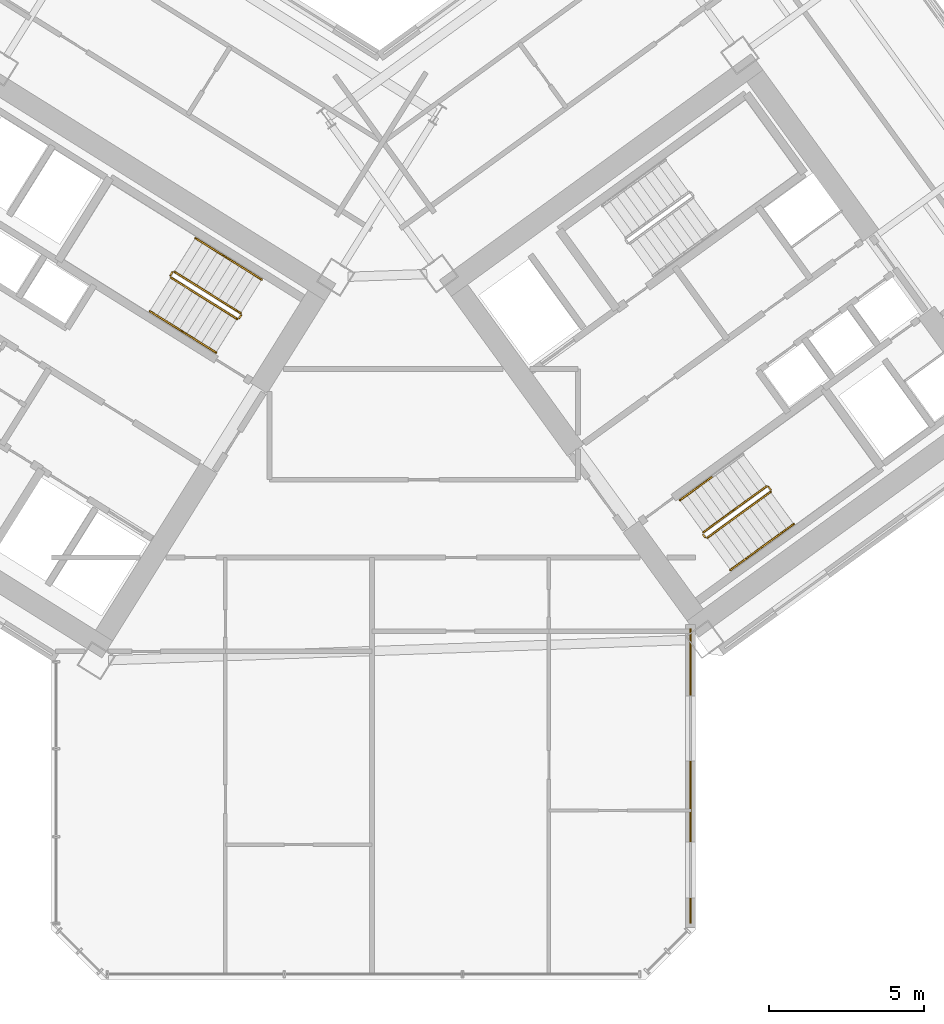
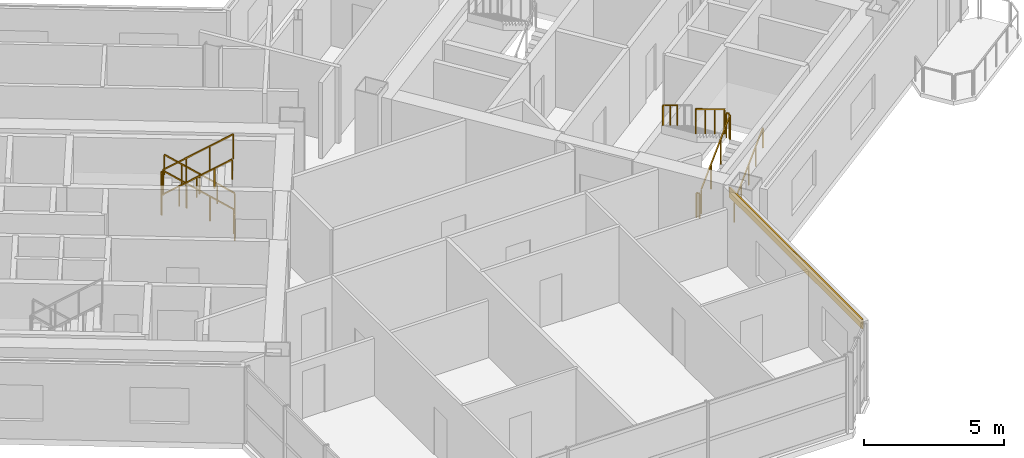
# One storey, part 20 of 22: 15 railings, 1 covering.
"""IFC4 building model written with IfcOpenShell, lengths in metres."""

import ifcopenshell
import ifcopenshell.guid

model = None  # the IFC model being written
_history = None  # IfcOwnerHistory: only IFC2X3 demands one
_inside = {}  # id of a spatial element -> (the spatial element, [elements in it])
_under = {}  # id of a project, library or spatial element -> (it, [spatial elements below it])
_declared = {}  # id of a project -> (the project, [libraries it declares])
_typed = {}  # id of a type object -> (the type object, [elements of that type])
_made_of = {}  # id of a material, layer set ... -> (it, [elements and type objects made of it])


def new_model(schema):
    """Start an empty IFC model of exactly this schema.

    Asked for "IFC4X3", IfcOpenShell would pick the latest addendum, in which some entities
    have other attributes; the version numbers below select the first issue.
    IFC2X3 requires an IfcOwnerHistory on every rooted entity: one is made here for all.
    """
    global model, _history
    if schema == "IFC4X3":
        model = ifcopenshell.file(schema_version=(4, 3, 0, 0))
    else:
        model = ifcopenshell.file(schema=schema)
    _inside.clear()
    _under.clear()
    _declared.clear()
    _typed.clear()
    _made_of.clear()
    _history = None
    if model.schema == "IFC2X3":
        org = make("IfcOrganization", Name="unknown")
        user = make(
            "IfcPersonAndOrganization",
            ThePerson=make("IfcPerson", FamilyName="unknown"),
            TheOrganization=org,
        )
        app = make(
            "IfcApplication",
            ApplicationDeveloper=org,
            Version="unknown",
            ApplicationFullName="unknown",
            ApplicationIdentifier="unknown",
        )
        _history = make(
            "IfcOwnerHistory",
            OwningUser=user,
            OwningApplication=app,
            ChangeAction="ADDED",
            CreationDate=0,
        )
    return model


def make(cls, **values):
    """One entity of the class cls with the attributes given. An attribute that is None is left unset."""
    return model.create_entity(
        cls, **{name: value for name, value in values.items() if value is not None}
    )


def rooted(cls, **values):
    """An entity with a GlobalId (a new one), such as an element, a storey or a relation."""
    return make(cls, GlobalId=ifcopenshell.guid.new(), OwnerHistory=_history, **values)


def si_unit(unit_type, name, prefix=None):
    """IfcSIUnit, for example si_unit("LENGTHUNIT", "METRE", prefix="MILLI")."""
    return make("IfcSIUnit", UnitType=unit_type, Prefix=prefix, Name=name)


def assignment(units):
    """IfcUnitAssignment: the units of a project."""
    return None if units is None else make("IfcUnitAssignment", Units=units)


def point(xyz):
    """IfcCartesianPoint."""
    return None if xyz is None else make("IfcCartesianPoint", Coordinates=xyz)


def direction(xyz):
    """IfcDirection."""
    return None if xyz is None else make("IfcDirection", DirectionRatios=xyz)


def frame(location, z_axis=None, x_axis=None):
    """IfcAxis2Placement3D, a coordinate frame: its origin and axes. An axis left out is left unset."""
    return make(
        "IfcAxis2Placement3D",
        Location=point(location),
        Axis=direction(z_axis),
        RefDirection=direction(x_axis),
    )


def frame_2d(location, x_axis=None):
    """IfcAxis2Placement2D, a coordinate frame in the plane: its origin and x axis."""
    return make(
        "IfcAxis2Placement2D", Location=point(location), RefDirection=direction(x_axis)
    )


def origin():
    """The frame at (0, 0, 0) with its axes left unset."""
    return frame((0.0, 0.0, 0.0))


def origin_2d():
    """The frame at (0, 0) in the plane with its x axis left unset."""
    return frame_2d((0.0, 0.0))


def place(relative_to, where):
    """IfcLocalPlacement: puts the frame where relative to a parent placement (None: the world)."""
    return make(
        "IfcLocalPlacement", PlacementRelTo=relative_to, RelativePlacement=where
    )


def context(
    kind, dimensions, precision=None, world=None, true_north=None, identifier=None
):
    """IfcGeometricRepresentationContext, for example the 3D "Model" context."""
    return make(
        "IfcGeometricRepresentationContext",
        ContextIdentifier=identifier,
        ContextType=kind,
        CoordinateSpaceDimension=dimensions,
        Precision=precision,
        WorldCoordinateSystem=world,
        TrueNorth=true_north,
    )


def subcontext(parent, identifier, kind, view, scale=None):
    """IfcGeometricRepresentationSubContext, for example "Body" below "Model"."""
    return make(
        "IfcGeometricRepresentationSubContext",
        ContextIdentifier=identifier,
        ContextType=kind,
        ParentContext=parent,
        TargetScale=scale,
        TargetView=view,
    )


def project(units=None, contexts=None):
    """IfcProject with its units and contexts."""
    return rooted(
        "IfcProject",
        Name="project",
        RepresentationContexts=contexts,
        UnitsInContext=assignment(units),
    )


def spatial(cls, under=None, at=None, **own):
    """A site, building, storey or space (cls), placed at a placement, below another one or the project."""
    s = rooted(cls, ObjectPlacement=at, **own)
    if under is not None:
        _under.setdefault(under.id(), (under, []))[1].append(s)
    return s


def profile(cls, at=None, kind="AREA", **sizes):
    """A parametric profile (cls). Its sizes go by their IFC names, for example OverallWidth=200.0."""
    return make(cls, ProfileType=kind, Position=at, **sizes)


def rectangle(**sizes):
    """IfcRectangleProfileDef."""
    return profile("IfcRectangleProfileDef", **sizes)


def extrude(swept, where, along, depth):
    """IfcExtrudedAreaSolid: the profile swept, set in the frame where, extruded along a direction by depth."""
    return make(
        "IfcExtrudedAreaSolid",
        SweptArea=swept,
        Position=where,
        ExtrudedDirection=direction(along),
        Depth=depth,
    )


def shape(context_of_items, identifier, shape_type, items):
    """IfcShapeRepresentation: the items that make up one representation, for example the "Body"."""
    return make(
        "IfcShapeRepresentation",
        ContextOfItems=context_of_items,
        RepresentationIdentifier=identifier,
        RepresentationType=shape_type,
        Items=items,
    )


def source(mapping_origin, context_of_items, identifier, shape_type, items):
    """IfcRepresentationMap: a shape defined once, which mapped items show again and again."""
    return make(
        "IfcRepresentationMap",
        MappingOrigin=mapping_origin,
        MappedRepresentation=shape(context_of_items, identifier, shape_type, items),
    )


def transform(
    local_origin,
    x_axis=None,
    y_axis=None,
    z_axis=None,
    scale=None,
    scale2=None,
    scale3=None,
    uniform=True,
):
    """IfcCartesianTransformationOperator3D, or its non-uniform kind. x_axis, y_axis, z_axis: its Axis1, 2, 3."""
    if uniform:
        return make(
            "IfcCartesianTransformationOperator3D",
            Axis1=direction(x_axis),
            Axis2=direction(y_axis),
            LocalOrigin=point(local_origin),
            Scale=scale,
            Axis3=direction(z_axis),
        )
    return make(
        "IfcCartesianTransformationOperator3DnonUniform",
        Axis1=direction(x_axis),
        Axis2=direction(y_axis),
        LocalOrigin=point(local_origin),
        Scale=scale,
        Axis3=direction(z_axis),
        Scale2=scale2,
        Scale3=scale3,
    )


def mapped(mapping_source, mapping_target):
    """IfcMappedItem: shows the shape of a source again, moved by a transform."""
    return make(
        "IfcMappedItem", MappingSource=mapping_source, MappingTarget=mapping_target
    )


def material(Name=None, Category=None):
    """IfcMaterial."""
    return make("IfcMaterial", Name=Name, Category=Category)


def layer(
    of_material, thickness, ventilated=None, Name=None, Category=None, Priority=None
):
    """IfcMaterialLayer: one layer of a wall or slab, of a material (None: an air gap)."""
    return make(
        "IfcMaterialLayer",
        Material=of_material,
        LayerThickness=thickness,
        IsVentilated=ventilated,
        Name=Name,
        Category=Category,
        Priority=Priority,
    )


def layer_set(layers, Name=None):
    """IfcMaterialLayerSet."""
    return make("IfcMaterialLayerSet", MaterialLayers=layers, LayerSetName=Name)


def made_of(thing, what):
    """Note that an element or type object is made of a material, layer set ...; save() writes the relation."""
    if what is not None:
        _made_of.setdefault(what.id(), (what, []))[1].append(thing)
    return thing


def type_object(cls, material=None, **own):
    """A type object (cls), such as IfcWallType, which elements share."""
    return made_of(rooted(cls, **own), material)


def element(
    cls,
    number,
    at=None,
    inside=None,
    cuts=None,
    type_object=None,
    material=None,
    context=None,
    identifier="Body",
    shape_type=None,
    held_by="IfcProductDefinitionShape",
    body=None,
    shapes=None,
    **own,
):
    """One element of the class cls, such as IfcWall. Its Tag is "e" and its number.

    at: its placement. inside: the storey or other place that contains it. cuts: it is an
    opening in that element (IfcRelVoidsElement). A single representation is given by context,
    identifier, shape_type and body (its items); several are given by shapes. held_by: the class
    of the entity that holds the representations. save() writes the other relations.
    """
    e = rooted(cls, Tag="e%d" % number, ObjectPlacement=at, **own)
    if body is not None:
        shapes = [shape(context, identifier, shape_type, body)]
    if shapes is not None:
        e.Representation = make(held_by, Representations=shapes)
    if inside is not None:
        _inside.setdefault(inside.id(), (inside, []))[1].append(e)
    if cuts is not None:
        rooted(
            "IfcRelVoidsElement", RelatingBuildingElement=cuts, RelatedOpeningElement=e
        )
    if type_object is not None:
        _typed.setdefault(type_object.id(), (type_object, []))[1].append(e)
    return made_of(e, material)


def aggregate(whole, parts):
    """IfcRelAggregates: a whole, such as a stair, and the parts it consists of."""
    return rooted("IfcRelAggregates", RelatingObject=whole, RelatedObjects=parts)


def save(model, path):
    """Write the relations noted so far, then the file.

    IfcRelAggregates (storeys below a building ...), IfcRelContainedInSpatialStructure (elements
    in a storey), IfcRelDefinesByType, IfcRelAssociatesMaterial and IfcRelDeclares: one each for
    every whole, place, type object, material and project.
    """
    for whole, parts in _under.values():
        aggregate(whole, parts)
    for where, things in _inside.values():
        rooted(
            "IfcRelContainedInSpatialStructure",
            RelatedElements=things,
            RelatingStructure=where,
        )
    for kind, things in _typed.values():
        rooted("IfcRelDefinesByType", RelatedObjects=things, RelatingType=kind)
    for what, things in _made_of.values():
        rooted("IfcRelAssociatesMaterial", RelatedObjects=things, RelatingMaterial=what)
    for by, libraries in _declared.values():
        rooted("IfcRelDeclares", RelatingContext=by, RelatedDefinitions=libraries)
    model.write(path)


model = new_model("IFC4")

# Units and contexts
model_context = context("Model", 3, precision=1e-05, world=origin(), true_north=direction((0.0, 1.0)))
body_context = subcontext(model_context, "Body", "Model", "MODEL_VIEW")
ifc_project = project(units=[si_unit("LENGTHUNIT", "METRE"), si_unit("AREAUNIT", "SQUARE_METRE"), si_unit("VOLUMEUNIT", "CUBIC_METRE"), si_unit("PLANEANGLEUNIT", "RADIAN"), si_unit("MASSUNIT", "GRAM", prefix="KILO")], contexts=[model_context])

# Site, building, storey
site_placement = place(None, origin())
site = spatial("IfcSite", under=ifc_project, at=site_placement, CompositionType="ELEMENT")
building_placement = place(site_placement, origin())
building = spatial("IfcBuilding", under=site, at=building_placement, Name="Tlacorven Tower", CompositionType="ELEMENT")
storey_placement = place(building_placement, frame((0.0, 0.0, 97.199951171875)))
storey = spatial("IfcBuildingStorey", under=building, at=storey_placement, Name="L24", CompositionType="ELEMENT", Elevation=97.199951171875)

# Covering
ifc_material_1 = material(Name="Precast concrete C45/55", Category="concrete")
ifc_layer = layer(ifc_material_1, 0.06005859375)
ifc_layer_set = layer_set([ifc_layer], Name="Precast concrete C45/55")
covering_type = type_object("IfcCoveringType", Name="CV-CLD-TERC", PredefinedType="CLADDING", material=ifc_layer_set)
shared_shape_1 = source(origin(), body_context, "Body", "SweptSolid", [
    extrude(rectangle(XDim=9.49462890625, YDim=0.06005859375, at=origin_2d()), origin(), (0.0, 0.0, 1.0), 0.419921875),
])
covering_placement = place(storey_placement, frame((52.239990234375, 8.363525390625, 2.900146484375), z_axis=(0.0, 0.0, 1.0), x_axis=(0.0, -1.0, 0.0)))
element("IfcCovering", 1, at=covering_placement, inside=storey, type_object=covering_type, Name="L24 Masonry-Frame Spandrel Cladding 7", PredefinedType="CLADDING", context=body_context, shape_type="MappedRepresentation", body=[
    mapped(shared_shape_1, transform((0.0, 0.0, 0.0), scale=1.0)),
])

# Railings
ifc_material_2 = material(Name="Aluminium and painted steel balustrade", Category="steel")
railing_type_1 = type_object("IfcRailingType", Name="RL-GRD-1100", PredefinedType="GUARDRAIL", material=ifc_material_2)
shared_shape_2 = source(origin(), body_context, "Body", "SweptSolid", [
    extrude(rectangle(XDim=0.048095703125, YDim=0.048095703125, at=origin_2d()), frame((0.0, 0.0, 1.076171875), z_axis=(-0.713319727316, 0.445773895627, 0.540796265334), x_axis=(-0.529955395941, -0.84802551749, 0.0)), (0.0, 0.0, 1.0), 2.995849609375),
    extrude(rectangle(XDim=0.0419921875, YDim=0.0419921875, at=origin_2d()), origin(), (0.0, 0.0, 1.0), 1.052001953125),
    extrude(rectangle(XDim=0.0419921875, YDim=0.0419921875, at=origin_2d()), frame((-0.71240234375, 0.445068359375, 0.5400390625)), (0.0, 0.0, 1.0), 1.052001953125),
    extrude(rectangle(XDim=0.0419921875, YDim=0.0419921875, at=origin_2d()), frame((-1.424560546875, 0.890380859375, 1.080078125)), (0.0, 0.0, 1.0), 1.052001953125),
    extrude(rectangle(XDim=0.0419921875, YDim=0.0419921875, at=origin_2d()), frame((-2.136962890625, 1.33544921875, 1.6201171875)), (0.0, 0.0, 1.0), 1.052001953125),
])
railing_1_placement = place(storey_placement, frame((37.712158203125, 23.3095703125, 0.179931640625)))
element("IfcRailing", 2, at=railing_1_placement, inside=storey, type_object=railing_type_1, Name="L24 ST-W2 stair guard 1", PredefinedType="GUARDRAIL", context=body_context, shape_type="MappedRepresentation", body=[
    mapped(shared_shape_2, transform((0.0, 0.0, 0.0), scale=1.0)),
])
shared_shape_3 = source(origin(), body_context, "Body", "SweptSolid", [
    extrude(rectangle(XDim=0.048095703125, YDim=0.048095703125, at=origin_2d()), frame((0.0, 0.0, 1.076171875), z_axis=(-0.530546985787, -0.847655529016, 0.0), x_axis=(0.847655529016, -0.530546985787, 0.0)), (0.0, 0.0, 1.0), 0.1201171875),
    extrude(rectangle(XDim=0.0419921875, YDim=0.0419921875, at=origin_2d()), origin(), (0.0, 0.0, 1.0), 1.052001953125),
    extrude(rectangle(XDim=0.0419921875, YDim=0.0419921875, at=origin_2d()), frame((-0.063720703125, -0.101806640625, 0.0)), (0.0, 0.0, 1.0), 1.052001953125),
])
railing_2_placement = place(storey_placement, frame((37.728271484375, 23.24072265625, 0.0)))
element("IfcRailing", 3, at=railing_2_placement, inside=storey, type_object=railing_type_1, Name="L24 ST-W2 stair guard 4", PredefinedType="GUARDRAIL", context=body_context, shape_type="MappedRepresentation", body=[
    mapped(shared_shape_3, transform((0.0, 0.0, 0.0), scale=1.0)),
])
railing_type_2 = type_object("IfcRailingType", Name="RL-HND-0900", PredefinedType="HANDRAIL", material=ifc_material_2)
shared_shape_4 = source(origin(), body_context, "Body", "SweptSolid", [
    extrude(rectangle(XDim=0.048095703125, YDim=0.048095703125, at=origin_2d()), frame((0.0, 0.0, 0.8759765625), z_axis=(-0.713359751793, 0.4457479829, 0.540764828981), x_axis=(-0.529911857636, -0.848052724267, 0.0)), (0.0, 0.0, 1.0), 1.498046875),
    extrude(rectangle(XDim=0.0419921875, YDim=0.0419921875, at=origin_2d()), origin(), (0.0, 0.0, 1.0), 0.851806640625),
    extrude(rectangle(XDim=0.0419921875, YDim=0.0419921875, at=origin_2d()), frame((-0.5341796875, 0.333984375, 0.405029296875)), (0.0, 0.0, 1.0), 0.851806640625),
    extrude(rectangle(XDim=0.0419921875, YDim=0.0419921875, at=origin_2d()), frame((-1.068603515625, 0.667724609375, 0.81005859375)), (0.0, 0.0, 1.0), 0.851806640625),
])
for number, where, name in (
    (4, (38.390625, 24.39501953125, 0.179931640625), "L24 ST-W2 stair handrail 1"),
    (5, (37.322021484375, 25.062744140625, 0.989990234375), "L24 ST-W2 stair handrail 2"),
):
    element("IfcRailing", number, at=place(storey_placement, frame(where)), inside=storey, type_object=railing_type_2, Name=name, PredefinedType="HANDRAIL", context=body_context, shape_type="MappedRepresentation", body=[
        mapped(shared_shape_4, transform((0.0, 0.0, 0.0), scale=1.0)),
    ])
shared_shape_5 = source(origin(), body_context, "Body", "SweptSolid", [
    extrude(rectangle(XDim=0.048095703125, YDim=0.048095703125, at=origin_2d()), frame((0.0, 0.0, 0.8759765625), z_axis=(0.713359751793, -0.4457479829, 0.540764828981), x_axis=(0.529911857636, 0.848052724267, 0.0)), (0.0, 0.0, 1.0), 1.498046875),
    extrude(rectangle(XDim=0.0419921875, YDim=0.0419921875, at=origin_2d()), origin(), (0.0, 0.0, 1.0), 0.851806640625),
    extrude(rectangle(XDim=0.0419921875, YDim=0.0419921875, at=origin_2d()), frame((0.5341796875, -0.333984375, 0.405029296875)), (0.0, 0.0, 1.0), 0.851806640625),
    extrude(rectangle(XDim=0.0419921875, YDim=0.0419921875, at=origin_2d()), frame((1.068603515625, -0.667724609375, 0.81005859375)), (0.0, 0.0, 1.0), 0.851806640625),
])
for number, where, name in (
    (6, (34.7802734375, 23.372802734375, 1.97998046875), "L24 ST-W2 stair handrail 3"),
    (7, (35.848876953125, 22.705078125, 2.7900390625), "L24 ST-W2 stair handrail 4"),
):
    element("IfcRailing", number, at=place(storey_placement, frame(where)), inside=storey, type_object=railing_type_2, Name=name, PredefinedType="HANDRAIL", context=body_context, shape_type="MappedRepresentation", body=[
        mapped(shared_shape_5, transform((0.0, 0.0, 0.0), scale=1.0)),
    ])
shared_shape_6 = source(origin(), body_context, "Body", "SweptSolid", [
    extrude(rectangle(XDim=0.048095703125, YDim=0.048095703125, at=origin_2d()), frame((0.0, 0.0, 1.076171875), z_axis=(-0.531462422766, -0.847081869236, 0.0), x_axis=(0.847081869236, -0.531462422766, 0.0)), (0.0, 0.0, 1.0), 0.119873046875),
    extrude(rectangle(XDim=0.0419921875, YDim=0.0419921875, at=origin_2d()), origin(), (0.0, 0.0, 1.0), 1.052001953125),
    extrude(rectangle(XDim=0.0419921875, YDim=0.0419921875, at=origin_2d()), frame((-0.063720703125, -0.1015625, 0.0)), (0.0, 0.0, 1.0), 1.052001953125),
])
railing_3_placement = place(storey_placement, frame((35.50634765625, 24.62890625, 1.800048828125)))
element("IfcRailing", 8, at=railing_3_placement, inside=storey, type_object=railing_type_1, Name="L24 ST-W2 stair guard 2", PredefinedType="GUARDRAIL", context=body_context, shape_type="MappedRepresentation", body=[
    mapped(shared_shape_6, transform((0.0, 0.0, 0.0), scale=1.0)),
])
shared_shape_7 = source(origin(), body_context, "Body", "SweptSolid", [
    extrude(rectangle(XDim=0.048095703125, YDim=0.048095703125, at=origin_2d()), frame((0.0, 0.0, 1.076171875), z_axis=(0.713385662783, -0.445682681033, 0.540784470897), x_axis=(0.52984217967, 0.848096259066, 0.0)), (0.0, 0.0, 1.0), 2.995849609375),
    extrude(rectangle(XDim=0.0419921875, YDim=0.0419921875, at=origin_2d()), origin(), (0.0, 0.0, 1.0), 1.052001953125),
    extrude(rectangle(XDim=0.0419921875, YDim=0.0419921875, at=origin_2d()), frame((0.71240234375, -0.445068359375, 0.5400390625)), (0.0, 0.0, 1.0), 1.052001953125),
    extrude(rectangle(XDim=0.0419921875, YDim=0.0419921875, at=origin_2d()), frame((1.4248046875, -0.89013671875, 1.080078125)), (0.0, 0.0, 1.0), 1.052001953125),
    extrude(rectangle(XDim=0.0419921875, YDim=0.0419921875, at=origin_2d()), frame((2.13720703125, -1.335205078125, 1.6201171875)), (0.0, 0.0, 1.0), 1.052001953125),
])
railing_4_placement = place(storey_placement, frame((35.45849609375, 24.458251953125, 1.97998046875)))
element("IfcRailing", 9, at=railing_4_placement, inside=storey, type_object=railing_type_1, Name="L24 ST-W2 stair guard 3", PredefinedType="GUARDRAIL", context=body_context, shape_type="MappedRepresentation", body=[
    mapped(shared_shape_7, transform((0.0, 0.0, 0.0), scale=1.0)),
])
shared_shape_8 = source(origin(), body_context, "Body", "SweptSolid", [
    extrude(rectangle(XDim=0.048095703125, YDim=0.048095703125, at=origin_2d()), frame((0.0, 0.0, 1.076171875), z_axis=(-0.587567097037, 0.809175448515, 0.0), x_axis=(-0.809175448515, -0.587567097037, 0.0)), (0.0, 0.0, 1.0), 0.1201171875),
    extrude(rectangle(XDim=0.0419921875, YDim=0.0419921875, at=origin_2d()), origin(), (0.0, 0.0, 1.0), 1.052001953125),
    extrude(rectangle(XDim=0.0419921875, YDim=0.0419921875, at=origin_2d()), frame((-0.070556640625, 0.09716796875, 0.0)), (0.0, 0.0, 1.0), 1.052001953125),
])
for number, where, name in (
    (10, (54.8310546875, 17.605712890625, 1.800048828125), "L24 ST-E2 stair guard 2"),
    (11, (52.71142578125, 16.065673828125, 0.0), "L24 ST-E2 stair guard 4"),
):
    element("IfcRailing", number, at=place(storey_placement, frame(where)), inside=storey, type_object=railing_type_1, Name=name, PredefinedType="GUARDRAIL", context=body_context, shape_type="MappedRepresentation", body=[
        mapped(shared_shape_8, transform((0.0, 0.0, 0.0), scale=1.0)),
    ])
shared_shape_9 = source(origin(), body_context, "Body", "SweptSolid", [
    extrude(rectangle(XDim=0.048095703125, YDim=0.048095703125, at=origin_2d()), frame((0.0, 0.0, 0.8759765625), z_axis=(0.680516055757, 0.494372502302, 0.540826891737), x_axis=(-0.587745292299, 0.809046025502, 0.0)), (0.0, 0.0, 1.0), 1.497802734375),
    extrude(rectangle(XDim=0.0419921875, YDim=0.0419921875, at=origin_2d()), origin(), (0.0, 0.0, 1.0), 0.851806640625),
    extrude(rectangle(XDim=0.0419921875, YDim=0.0419921875, at=origin_2d()), frame((0.509765625, 0.3701171875, 0.405029296875)), (0.0, 0.0, 1.0), 0.851806640625),
    extrude(rectangle(XDim=0.0419921875, YDim=0.0419921875, at=origin_2d()), frame((1.019287109375, 0.740478515625, 0.81005859375)), (0.0, 0.0, 1.0), 0.851806640625),
])
railing_5_placement = place(storey_placement, frame((54.552978515625, 15.759765625, 0.989990234375)))
element("IfcRailing", 12, at=railing_5_placement, inside=storey, type_object=railing_type_2, Name="L24 ST-E2 stair handrail 2", PredefinedType="HANDRAIL", context=body_context, shape_type="MappedRepresentation", body=[
    mapped(shared_shape_9, transform((0.0, 0.0, 0.0), scale=1.0)),
])
shared_shape_10 = source(origin(), body_context, "Body", "SweptSolid", [
    extrude(rectangle(XDim=0.048095703125, YDim=0.048095703125, at=origin_2d()), frame((0.0, 0.0, 0.8759765625), z_axis=(-0.680461216233, -0.494495647917, 0.540783309093), x_axis=(0.587872112667, -0.808953879494, 0.0)), (0.0, 0.0, 1.0), 1.498046875),
    extrude(rectangle(XDim=0.0419921875, YDim=0.0419921875, at=origin_2d()), origin(), (0.0, 0.0, 1.0), 0.851806640625),
    extrude(rectangle(XDim=0.0419921875, YDim=0.0419921875, at=origin_2d()), frame((-0.509765625, -0.370361328125, 0.405029296875)), (0.0, 0.0, 1.0), 0.851806640625),
    extrude(rectangle(XDim=0.0419921875, YDim=0.0419921875, at=origin_2d()), frame((-1.019287109375, -0.74072265625, 0.81005859375)), (0.0, 0.0, 1.0), 0.851806640625),
])
railing_6_placement = place(storey_placement, frame((52.9189453125, 18.0087890625, 2.7900390625)))
element("IfcRailing", 13, at=railing_6_placement, inside=storey, type_object=railing_type_2, Name="L24 ST-E2 stair handrail 4", PredefinedType="HANDRAIL", context=body_context, shape_type="MappedRepresentation", body=[
    mapped(shared_shape_10, transform((0.0, 0.0, 0.0), scale=1.0)),
])
shared_shape_11 = source(origin(), body_context, "Body", "SweptSolid", [
    extrude(rectangle(XDim=0.048095703125, YDim=0.048095703125, at=origin_2d()), frame((0.0, 0.0, 1.076171875), z_axis=(0.680532390839, 0.494406659708, 0.54077511024), x_axis=(-0.587762637553, 0.809033424462, 0.0)), (0.0, 0.0, 1.0), 2.995849609375),
    extrude(rectangle(XDim=0.0419921875, YDim=0.0419921875, at=origin_2d()), origin(), (0.0, 0.0, 1.0), 1.052001953125),
    extrude(rectangle(XDim=0.0419921875, YDim=0.0419921875, at=origin_2d()), frame((0.6796875, 0.49365234375, 0.5400390625)), (0.0, 0.0, 1.0), 1.052001953125),
    extrude(rectangle(XDim=0.0419921875, YDim=0.0419921875, at=origin_2d()), frame((1.359130859375, 0.987548828125, 1.080078125)), (0.0, 0.0, 1.0), 1.052001953125),
    extrude(rectangle(XDim=0.0419921875, YDim=0.0419921875, at=origin_2d()), frame((2.038818359375, 1.481201171875, 1.6201171875)), (0.0, 0.0, 1.0), 1.052001953125),
])
railing_7_placement = place(storey_placement, frame((52.78125, 16.0546875, 0.179931640625)))
element("IfcRailing", 14, at=railing_7_placement, inside=storey, type_object=railing_type_1, Name="L24 ST-E2 stair guard 1", PredefinedType="GUARDRAIL", context=body_context, shape_type="MappedRepresentation", body=[
    mapped(shared_shape_11, transform((0.0, 0.0, 0.0), scale=1.0)),
])
shared_shape_12 = source(origin(), body_context, "Body", "SweptSolid", [
    extrude(rectangle(XDim=0.048095703125, YDim=0.048095703125, at=origin_2d()), frame((0.0, 0.0, 1.076171875), z_axis=(-0.680532390839, -0.494406659708, 0.54077511024), x_axis=(0.587762637553, -0.809033424462, 0.0)), (0.0, 0.0, 1.0), 2.995849609375),
    extrude(rectangle(XDim=0.0419921875, YDim=0.0419921875, at=origin_2d()), origin(), (0.0, 0.0, 1.0), 1.052001953125),
    extrude(rectangle(XDim=0.0419921875, YDim=0.0419921875, at=origin_2d()), frame((-0.6796875, -0.49365234375, 0.5400390625)), (0.0, 0.0, 1.0), 1.052001953125),
    extrude(rectangle(XDim=0.0419921875, YDim=0.0419921875, at=origin_2d()), frame((-1.359130859375, -0.987548828125, 1.080078125)), (0.0, 0.0, 1.0), 1.052001953125),
    extrude(rectangle(XDim=0.0419921875, YDim=0.0419921875, at=origin_2d()), frame((-2.038818359375, -1.481201171875, 1.6201171875)), (0.0, 0.0, 1.0), 1.052001953125),
])
railing_8_placement = place(storey_placement, frame((54.690673828125, 17.7138671875, 1.97998046875)))
element("IfcRailing", 15, at=railing_8_placement, inside=storey, type_object=railing_type_1, Name="L24 ST-E2 stair guard 3", PredefinedType="GUARDRAIL", context=body_context, shape_type="MappedRepresentation", body=[
    mapped(shared_shape_12, transform((0.0, 0.0, 0.0), scale=1.0)),
])
shared_shape_13 = source(origin(), body_context, "Body", "SweptSolid", [
    extrude(rectangle(XDim=0.048095703125, YDim=0.048095703125, at=origin_2d()), frame((0.0, 0.0, 0.8759765625), z_axis=(0.680461216233, 0.494495647917, 0.540783309093), x_axis=(-0.587872112667, 0.808953879494, 0.0)), (0.0, 0.0, 1.0), 1.498046875),
    extrude(rectangle(XDim=0.0419921875, YDim=0.0419921875, at=origin_2d()), origin(), (0.0, 0.0, 1.0), 0.851806640625),
    extrude(rectangle(XDim=0.0419921875, YDim=0.0419921875, at=origin_2d()), frame((0.509765625, 0.370361328125, 0.405029296875)), (0.0, 0.0, 1.0), 0.851806640625),
    extrude(rectangle(XDim=0.0419921875, YDim=0.0419921875, at=origin_2d()), frame((1.019287109375, 0.74072265625, 0.81005859375)), (0.0, 0.0, 1.0), 0.851806640625),
])
railing_9_placement = place(storey_placement, frame((53.53369140625, 15.01904296875, 0.179931640625)))
element("IfcRailing", 16, at=railing_9_placement, inside=storey, type_object=railing_type_2, Name="L24 ST-E2 stair handrail 1", PredefinedType="HANDRAIL", context=body_context, shape_type="MappedRepresentation", body=[
    mapped(shared_shape_13, transform((0.0, 0.0, 0.0), scale=1.0)),
])

save(model, "model.ifc")
